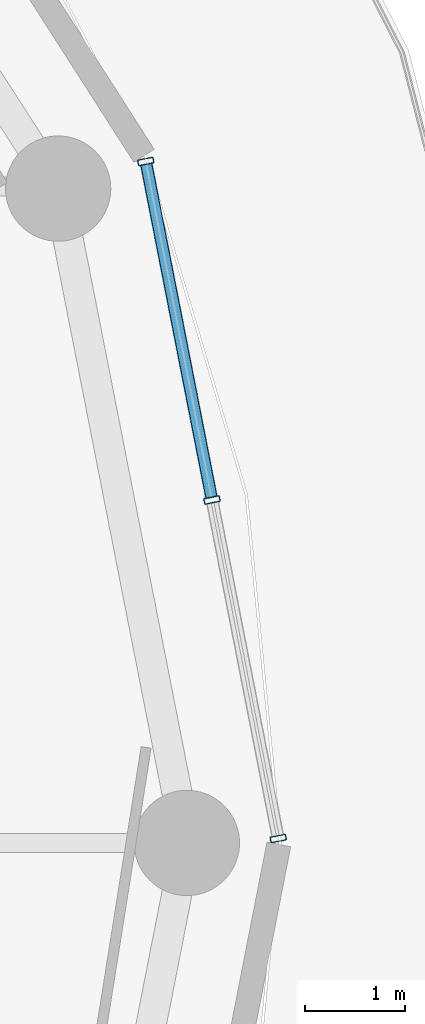
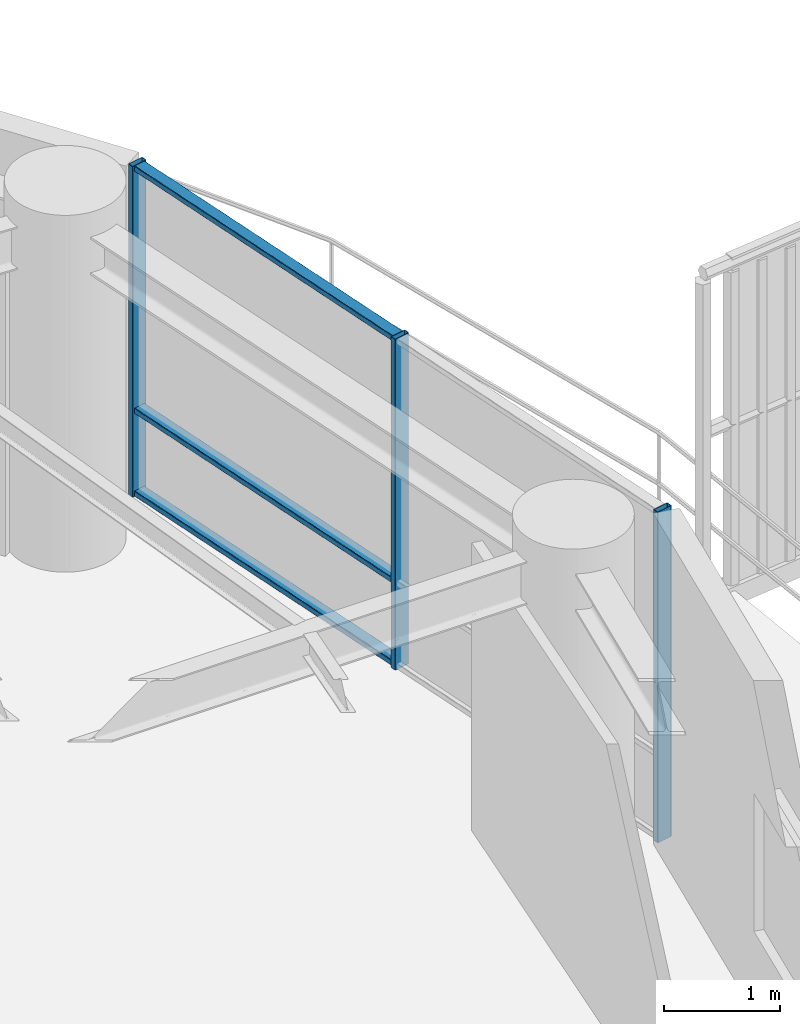
# One storey, part 15 of 30: 6 members, 1 element without a shape of its own.
"""IFC4 building model written with IfcOpenShell, lengths in metres."""

from ifc_helpers import new_model, si_unit, direction, frame, origin, origin_2d, place, context, subcontext, project, spatial, hollow_rectangle, extrude, material, layer, layer_set, material_profile, profile_set, type_object, element, aggregate, save


model = new_model("IFC4")

# Units and contexts
model_context = context("Model", 3, precision=1e-05, world=origin(), true_north=direction((0.0, 1.0)))
body_context = subcontext(model_context, "Body", "Model", "MODEL_VIEW")
ifc_project = project(units=[si_unit("LENGTHUNIT", "METRE"), si_unit("AREAUNIT", "SQUARE_METRE"), si_unit("VOLUMEUNIT", "CUBIC_METRE"), si_unit("PLANEANGLEUNIT", "RADIAN"), si_unit("MASSUNIT", "GRAM", prefix="KILO")], contexts=[model_context])

# Site, building, storey
site_placement = place(None, origin())
site = spatial("IfcSite", under=ifc_project, at=site_placement, CompositionType="ELEMENT")
building_placement = place(site_placement, origin())
building = spatial("IfcBuilding", under=site, at=building_placement, Name="Kelanora Arch Commons", CompositionType="ELEMENT")
storey_placement = place(building_placement, frame((0.0, 0.0, 215.699951171875)))
storey = spatial("IfcBuildingStorey", under=building, at=storey_placement, Name="L55", CompositionType="ELEMENT", Elevation=215.699951171875)

# Curtain wall, members
ifc_material_1 = material(Name="Terracotta ceramic-fritted low-E glass and aluminium", Category="masonry")
ifc_layer = layer(ifc_material_1, 0.175048828125)
ifc_layer_set = layer_set([ifc_layer], Name="Terracotta ceramic-fritted low-E glass and aluminium")
curtain_wall_type = type_object("IfcCurtainWallType", Name="CW-SYS-02", PredefinedType="NOTDEFINED", material=ifc_layer_set)
curtain_wall_placement = place(storey_placement, origin())
curtain_wall = element("IfcCurtainWall", 1, at=curtain_wall_placement, inside=storey, type_object=curtain_wall_type, Name="Unitised Curtain Wall L55-B00", PredefinedType="NOTDEFINED")
ifc_material_2 = material(Name="Powder-coated aluminium terracotta", Category="masonry")
ifc_material_profile_1 = material_profile(ifc_material_2, hollow_rectangle(XDim=0.159912109375, YDim=0.06005859375, WallThickness=0.0048828125, InnerFilletRadius=0.0048828125, OuterFilletRadius=0.010009765625, at=origin_2d()), Name="CWM160x60")
ifc_profile_set_1 = profile_set([ifc_material_profile_1], Name="Powder-coated aluminium terracotta")
member_type_1 = type_object("IfcMemberType", Name="CWM-STD", PredefinedType="MULLION", material=ifc_profile_set_1)
member_1_placement = place(storey_placement, frame((96.19140625, 58.044189453125, 0.0), z_axis=(0.0, 0.0, 1.0), x_axis=(-0.981381438349, -0.192068926335, 0.0)))
member_1 = element("IfcMember", 2, at=member_1_placement, type_object=member_type_1, Name="CW-02 mullion 1", PredefinedType="MULLION", context=body_context, shape_type="SweptSolid", body=[
    extrude(hollow_rectangle(XDim=0.159912109375, YDim=0.06005859375, WallThickness=0.0048828125, InnerFilletRadius=0.0048828125, OuterFilletRadius=0.010009765625, at=origin_2d()), origin(), (0.0, 0.0, 1.0), 3.47509765625),
])
member_2_placement = place(storey_placement, frame((95.530517578125, 61.420166015625, 0.0), z_axis=(0.0, 0.0, 1.0), x_axis=(-0.981381438349, -0.192068926335, 0.0)))
member_2 = element("IfcMember", 3, at=member_2_placement, type_object=member_type_1, Name="CW-02 mullion 2", PredefinedType="MULLION", context=body_context, shape_type="SweptSolid", body=[
    extrude(hollow_rectangle(XDim=0.159912109375, YDim=0.06005859375, WallThickness=0.0048828125, InnerFilletRadius=0.0048828125, OuterFilletRadius=0.010009765625, at=origin_2d()), origin(), (0.0, 0.0, 1.0), 3.47509765625),
])
member_3_placement = place(storey_placement, frame((94.869873046875, 64.796142578125, 0.0), z_axis=(0.0, 0.0, 1.0), x_axis=(-0.981381438349, -0.192068926335, 0.0)))
member_3 = element("IfcMember", 4, at=member_3_placement, type_object=member_type_1, Name="CW-02 mullion 3", PredefinedType="MULLION", context=body_context, shape_type="SweptSolid", body=[
    extrude(hollow_rectangle(XDim=0.159912109375, YDim=0.06005859375, WallThickness=0.0048828125, InnerFilletRadius=0.0048828125, OuterFilletRadius=0.010009765625, at=origin_2d()), origin(), (0.0, 0.0, 1.0), 3.47509765625),
])
ifc_material_profile_2 = material_profile(ifc_material_2, hollow_rectangle(XDim=0.1201171875, YDim=0.06005859375, WallThickness=0.0048828125, InnerFilletRadius=0.0048828125, OuterFilletRadius=0.010009765625, at=origin_2d()), Name="CWT120x60")
ifc_profile_set_2 = profile_set([ifc_material_profile_2], Name="Powder-coated aluminium terracotta")
member_type_2 = type_object("IfcMemberType", Name="CWT-STD", PredefinedType="USERDEFINED", material=ifc_profile_set_2)
member_4_placement = place(storey_placement, frame((95.52490234375, 61.44970703125, 0.030029296875), z_axis=(-0.192058488005, 0.981383481207, 0.0), x_axis=(-0.981383481207, -0.192058488005, 0.0)))
member_4 = element("IfcMember", 5, at=member_4_placement, type_object=member_type_2, Name="CW-02 transom 2.1", ObjectType="TRANSOM", PredefinedType="USERDEFINED", context=body_context, shape_type="SweptSolid", body=[
    extrude(hollow_rectangle(XDim=0.1201171875, YDim=0.06005859375, WallThickness=0.0048828125, InnerFilletRadius=0.0048828125, OuterFilletRadius=0.010009765625, at=origin_2d()), origin(), (0.0, 0.0, 1.0), 3.380126953125),
])
member_5_placement = place(storey_placement, frame((95.52490234375, 61.44970703125, 0.900146484375), z_axis=(-0.192058488005, 0.981383481207, 0.0), x_axis=(-0.981383481207, -0.192058488005, 0.0)))
member_5 = element("IfcMember", 6, at=member_5_placement, type_object=member_type_2, Name="CW-02 transom 2.2", ObjectType="TRANSOM", PredefinedType="USERDEFINED", context=body_context, shape_type="SweptSolid", body=[
    extrude(hollow_rectangle(XDim=0.1201171875, YDim=0.06005859375, WallThickness=0.0048828125, InnerFilletRadius=0.0048828125, OuterFilletRadius=0.010009765625, at=origin_2d()), origin(), (0.0, 0.0, 1.0), 3.380126953125),
])
member_6_placement = place(storey_placement, frame((95.52490234375, 61.44970703125, 3.445068359375), z_axis=(-0.192058488005, 0.981383481207, 0.0), x_axis=(-0.981383481207, -0.192058488005, 0.0)))
member_6 = element("IfcMember", 7, at=member_6_placement, type_object=member_type_2, Name="CW-02 transom 2.3", ObjectType="TRANSOM", PredefinedType="USERDEFINED", context=body_context, shape_type="SweptSolid", body=[
    extrude(hollow_rectangle(XDim=0.1201171875, YDim=0.06005859375, WallThickness=0.0048828125, InnerFilletRadius=0.0048828125, OuterFilletRadius=0.010009765625, at=origin_2d()), origin(), (0.0, 0.0, 1.0), 3.380126953125),
])
aggregate(curtain_wall, [member_1, member_2, member_3, member_4, member_5, member_6])

save(model, "model.ifc")
